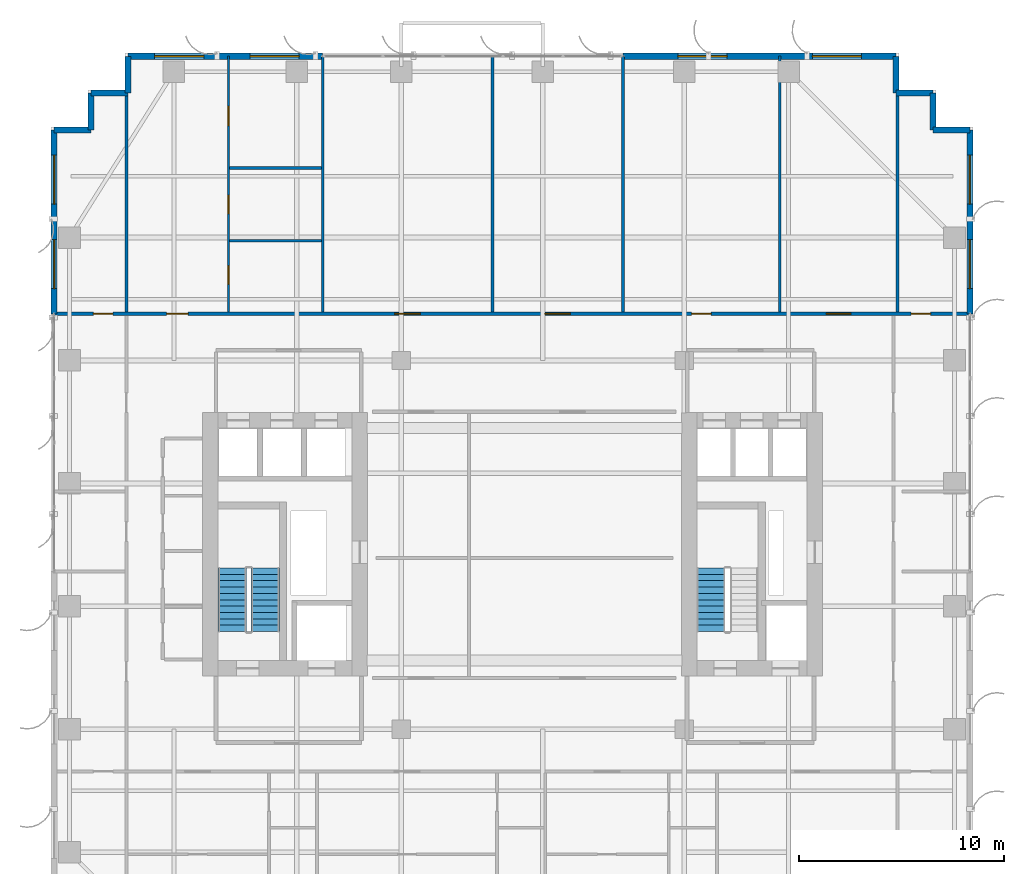
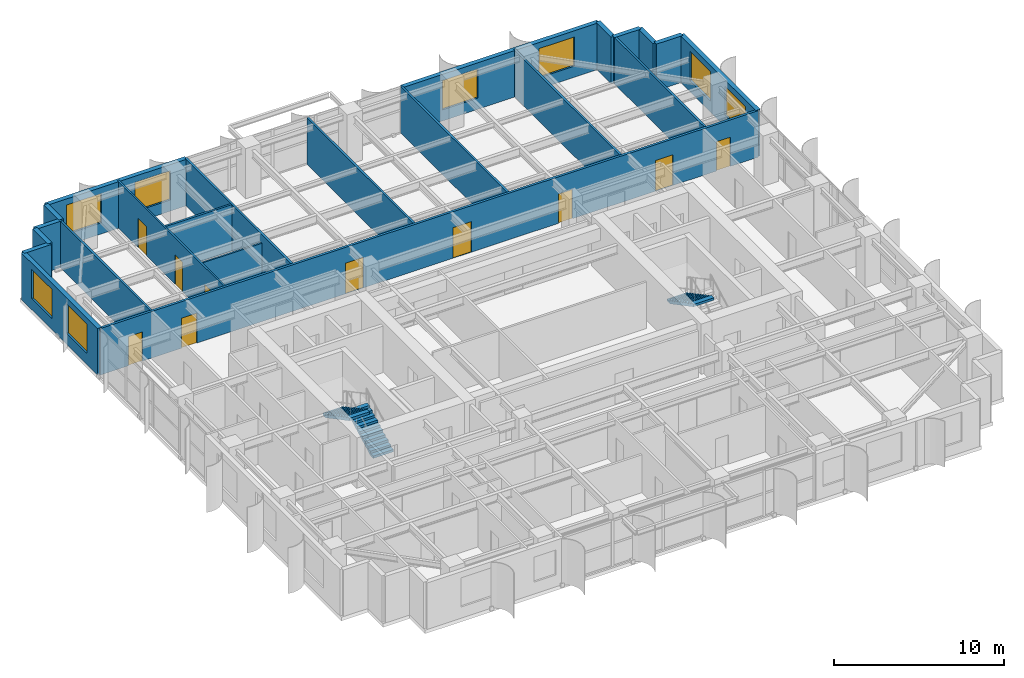
# One storey, part 23 of 27: 22 walls, 10 doors, 8 windows, 3 stair flights, 18 openings, 2 elements without a shape of their own.
"""IFC4 building model written with IfcOpenShell, lengths in metres."""

from ifc_helpers import new_model, si_unit, direction, frame, frame_2d, origin, place, context, subcontext, project, spatial, polyline, rectangle, outline, extrude, source, transform, mapped, material, layer, layer_set, type_object, element, fill, aggregate, save


model = new_model("IFC4")

# Units and contexts
model_context = context("Model", 3, precision=1e-05, world=origin(), true_north=direction((0.0, 1.0)))
body_context = subcontext(model_context, "Body", "Model", "MODEL_VIEW")
ifc_project = project(units=[si_unit("LENGTHUNIT", "METRE"), si_unit("AREAUNIT", "SQUARE_METRE"), si_unit("VOLUMEUNIT", "CUBIC_METRE"), si_unit("PLANEANGLEUNIT", "RADIAN"), si_unit("MASSUNIT", "GRAM", prefix="KILO")], contexts=[model_context])

# Site, building, storey
site_placement = place(None, origin())
site = spatial("IfcSite", under=ifc_project, at=site_placement, CompositionType="ELEMENT")
building_placement = place(site_placement, origin())
building = spatial("IfcBuilding", under=site, at=building_placement, Name="Khoralis Quay Care Tower", CompositionType="ELEMENT")
storey_placement = place(building_placement, frame((0.0, 0.0, 105.300048828125)))
storey = spatial("IfcBuildingStorey", under=building, at=storey_placement, Name="L27", CompositionType="ELEMENT", Elevation=105.300048828125)

# Wall, openings, doors
ifc_material_1 = material(Name="Gypsum plasterboard on acoustic metal stud")
ifc_layer_1 = layer(ifc_material_1, 0.1650390625)
ifc_layer_set_1 = layer_set([ifc_layer_1], Name="Gypsum plasterboard on acoustic metal stud")
wall_type_1 = type_object("IfcWallType", Name="WL-CORR-165", PredefinedType="PARTITIONING", material=ifc_layer_set_1)
wall_1_placement = place(storey_placement, frame((0.14501953125, 32.280029296875, 0.0), z_axis=(0.0, 0.0, 1.0), x_axis=(1.0, 0.0, 0.0)))
wall_1 = element("IfcWall", 1, at=wall_1_placement, inside=storey, type_object=wall_type_1, Name="L27 North Main Corridor Wall", PredefinedType="PARTITIONING", context=body_context, shape_type="SweptSolid", body=[
    extrude(rectangle(XDim=44.7099609375, YDim=0.1650390625, at=frame_2d((22.35498046875, 0.0))), origin(), (0.0, 0.0, 1.0), 3.33984375),
])
opening_1_placement = place(wall_1_placement, frame((5.5009765625, 0.0, 0.0)))
opening_1 = element("IfcOpeningElement", 2, at=opening_1_placement, cuts=wall_1, Name="Opening UD1", PredefinedType="OPENING", context=body_context, shape_type="SweptSolid", body=[
    extrude(rectangle(XDim=1.050048828125, YDim=2.14990234375, at=frame_2d((0.52490234375, 1.074951171875))), frame((0.0, 0.092529296875, 0.0), z_axis=(0.0, -1.0, 0.0), x_axis=(1.0, 0.0, 0.0)), (0.0, 0.0, 1.0), 0.18505859375),
])
opening_2_placement = place(wall_1_placement, frame((16.6298828125, 0.0, 0.0)))
opening_2 = element("IfcOpeningElement", 3, at=opening_2_placement, cuts=wall_1, Name="Opening CD1", PredefinedType="OPENING", context=body_context, shape_type="SweptSolid", body=[
    extrude(rectangle(XDim=1.25, YDim=2.199951171875, at=frame_2d((0.625, 1.10009765625))), frame((0.0, 0.092529296875, 0.0), z_axis=(0.0, -1.0, 0.0), x_axis=(1.0, 0.0, 0.0)), (0.0, 0.0, 1.0), 0.18505859375),
])
opening_3_placement = place(wall_1_placement, frame((23.9599609375, 0.0, 0.0)))
opening_3 = element("IfcOpeningElement", 4, at=opening_3_placement, cuts=wall_1, Name="Opening CD1", PredefinedType="OPENING", context=body_context, shape_type="SweptSolid", body=[
    extrude(rectangle(XDim=1.25, YDim=2.199951171875, at=frame_2d((0.625, 1.10009765625))), frame((0.0, 0.092529296875, 0.0), z_axis=(0.0, -1.0, 0.0), x_axis=(1.0, 0.0, 0.0)), (0.0, 0.0, 1.0), 0.18505859375),
])
opening_4_placement = place(wall_1_placement, frame((31.125, 0.0, 0.0)))
opening_4 = element("IfcOpeningElement", 5, at=opening_4_placement, cuts=wall_1, Name="Opening ID1", PredefinedType="OPENING", context=body_context, shape_type="SweptSolid", body=[
    extrude(rectangle(XDim=0.949951171875, YDim=2.10009765625, at=frame_2d((0.47509765625, 1.050048828125))), frame((0.0, 0.092529296875, 0.0), z_axis=(0.0, -1.0, 0.0), x_axis=(1.0, 0.0, 0.0)), (0.0, 0.0, 1.0), 0.18505859375),
])
opening_5_placement = place(wall_1_placement, frame((37.699951171875, 0.0, 0.0)))
opening_5 = element("IfcOpeningElement", 6, at=opening_5_placement, cuts=wall_1, Name="Opening FD1", PredefinedType="OPENING", context=body_context, shape_type="SweptSolid", body=[
    extrude(rectangle(XDim=1.199951171875, YDim=2.199951171875, at=frame_2d((0.60009765625, 1.10009765625))), frame((0.0, 0.092529296875, 0.0), z_axis=(0.0, -1.0, 0.0), x_axis=(1.0, 0.0, 0.0)), (0.0, 0.0, 1.0), 0.18505859375),
])
opening_6_placement = place(wall_1_placement, frame((1.919921875, 0.0, 0.0)))
opening_6 = element("IfcOpeningElement", 7, at=opening_6_placement, cuts=wall_1, Name="Opening ID1", PredefinedType="OPENING", context=body_context, shape_type="SweptSolid", body=[
    extrude(rectangle(XDim=0.949951171875, YDim=2.10009765625, at=frame_2d((0.47509765625, 1.050048828125))), frame((0.0, 0.092529296875, 0.0), z_axis=(0.0, -1.0, 0.0), x_axis=(1.0, 0.0, 0.0)), (0.0, 0.0, 1.0), 0.18505859375),
])
opening_7_placement = place(wall_1_placement, frame((41.840087890625, 0.0, 0.0)))
opening_7 = element("IfcOpeningElement", 8, at=opening_7_placement, cuts=wall_1, Name="Opening ID1", PredefinedType="OPENING", context=body_context, shape_type="SweptSolid", body=[
    extrude(rectangle(XDim=0.949951171875, YDim=2.10009765625, at=frame_2d((0.47509765625, 1.050048828125))), frame((0.0, 0.092529296875, 0.0), z_axis=(0.0, -1.0, 0.0), x_axis=(1.0, 0.0, 0.0)), (0.0, 0.0, 1.0), 0.18505859375),
])
ifc_material_2 = material(Name="Fire-rated painted steel", Category="steel")
door_type_1 = type_object("IfcDoorType", Name="DR-FFL-1200X2200", OperationType="NOTDEFINED", PredefinedType="DOOR", material=ifc_material_2)
shared_shape_1 = source(origin(), body_context, "Body", "SweptSolid", [
    extrude(rectangle(XDim=1.199951171875, YDim=2.199951171875, at=frame_2d((0.60009765625, 1.10009765625))), frame((0.0, 0.02490234375, 0.0), z_axis=(0.0, -1.0, 0.0), x_axis=(1.0, 0.0, 0.0)), (0.0, 0.0, 1.0), 0.050048828125),
])
door_1_placement = place(opening_5_placement, origin())
door_1 = element("IfcDoor", 9, at=door_1_placement, inside=storey, type_object=door_type_1, Name="L27 Resident Communal Day Lounge Door", OperationType="DOUBLE_DOOR_SINGLE_SWING", OverallHeight=2.199951171875, OverallWidth=1.199951171875, PredefinedType="DOOR", context=body_context, shape_type="MappedRepresentation", body=[
    mapped(shared_shape_1, transform((0.0, 0.0, 0.0), scale=1.0)),
])
fill(opening_5, door_1)
ifc_material_3 = material(Name="Acoustic hardwood timber", Category="wood")
door_type_2 = type_object("IfcDoorType", Name="DR-CARE-1250X2200", OperationType="NOTDEFINED", PredefinedType="DOOR", material=ifc_material_3)
shared_shape_2 = source(origin(), body_context, "Body", "SweptSolid", [
    extrude(rectangle(XDim=1.25, YDim=2.199951171875, at=frame_2d((0.625, 1.10009765625))), frame((0.0, 0.02490234375, 0.0), z_axis=(0.0, -1.0, 0.0), x_axis=(1.0, 0.0, 0.0)), (0.0, 0.0, 1.0), 0.050048828125),
])
door_2_placement = place(opening_2_placement, origin())
door_2 = element("IfcDoor", 10, at=door_2_placement, inside=storey, type_object=door_type_2, Name="L27 Geriatric Consultation Clinic Door", OperationType="SINGLE_SWING_RIGHT", OverallHeight=2.199951171875, OverallWidth=1.25, PredefinedType="DOOR", context=body_context, shape_type="MappedRepresentation", body=[
    mapped(shared_shape_2, transform((0.0, 0.0, 0.0), scale=1.0)),
])
fill(opening_2, door_2)
door_3_placement = place(opening_3_placement, origin())
door_3 = element("IfcDoor", 11, at=door_3_placement, inside=storey, type_object=door_type_2, Name="L27 Physiotherapy Treatment Clinic Door", OperationType="SINGLE_SWING_LEFT", OverallHeight=2.199951171875, OverallWidth=1.25, PredefinedType="DOOR", context=body_context, shape_type="MappedRepresentation", body=[
    mapped(shared_shape_2, transform((0.0, 0.0, 0.0), scale=1.0)),
])
fill(opening_3, door_3)
door_type_3 = type_object("IfcDoorType", Name="DR-ROOM-950X2100", OperationType="NOTDEFINED", PredefinedType="DOOR", material=ifc_material_3)
shared_shape_3 = source(origin(), body_context, "Body", "SweptSolid", [
    extrude(rectangle(XDim=0.949951171875, YDim=2.10009765625, at=frame_2d((0.47509765625, 1.050048828125))), frame((0.0, 0.02490234375, 0.0), z_axis=(0.0, -1.0, 0.0), x_axis=(1.0, 0.0, 0.0)), (0.0, 0.0, 1.0), 0.050048828125),
])
door_4_placement = place(opening_4_placement, origin())
door_4 = element("IfcDoor", 12, at=door_4_placement, inside=storey, type_object=door_type_3, Name="L27 Care Coordination Office Door", OperationType="SINGLE_SWING_LEFT", OverallHeight=2.10009765625, OverallWidth=0.949951171875, PredefinedType="DOOR", context=body_context, shape_type="MappedRepresentation", body=[
    mapped(shared_shape_3, transform((0.0, 0.0, 0.0), scale=1.0)),
])
fill(opening_4, door_4)
door_5_placement = place(opening_6_placement, origin())
door_5 = element("IfcDoor", 13, at=door_5_placement, inside=storey, type_object=door_type_3, Name="L27 NW Corner Door", OperationType="SINGLE_SWING_RIGHT", OverallHeight=2.10009765625, OverallWidth=0.949951171875, PredefinedType="DOOR", context=body_context, shape_type="MappedRepresentation", body=[
    mapped(shared_shape_3, transform((0.0, 0.0, 0.0), scale=1.0)),
])
fill(opening_6, door_5)
door_6_placement = place(opening_7_placement, origin())
door_6 = element("IfcDoor", 14, at=door_6_placement, inside=storey, type_object=door_type_3, Name="L27 NE Corner Door", OperationType="SINGLE_SWING_LEFT", OverallHeight=2.10009765625, OverallWidth=0.949951171875, PredefinedType="DOOR", context=body_context, shape_type="MappedRepresentation", body=[
    mapped(shared_shape_3, transform((0.0, 0.0, 0.0), scale=1.0)),
])
fill(opening_7, door_6)
door_type_4 = type_object("IfcDoorType", Name="DR-SUITE-1050X2150", OperationType="NOTDEFINED", PredefinedType="DOOR", material=ifc_material_3)
shared_shape_4 = source(origin(), body_context, "Body", "SweptSolid", [
    extrude(rectangle(XDim=1.050048828125, YDim=2.14990234375, at=frame_2d((0.52490234375, 1.074951171875))), frame((0.0, 0.02490234375, 0.0), z_axis=(0.0, -1.0, 0.0), x_axis=(1.0, 0.0, 0.0)), (0.0, 0.0, 1.0), 0.050048828125),
])
door_7_placement = place(opening_1_placement, origin())
door_7 = element("IfcDoor", 15, at=door_7_placement, inside=storey, type_object=door_type_4, Name="L27 Apartment NB0 Entrance Door", OperationType="SINGLE_SWING_LEFT", OverallHeight=2.14990234375, OverallWidth=1.050048828125, PredefinedType="DOOR", context=body_context, shape_type="MappedRepresentation", body=[
    mapped(shared_shape_4, transform((0.0, 0.0, 0.0), scale=1.0)),
])
fill(opening_1, door_7)

# Wall, openings, windows
ifc_material_4 = material(Name="Precast concrete C45/55", Category="concrete")
ifc_layer_2 = layer(ifc_material_4, 0.300048828125)
ifc_layer_set_2 = layer_set([ifc_layer_2], Name="Precast concrete C45/55")
wall_type_2 = type_object("IfcWallType", Name="WL-EXT-REF-300", PredefinedType="SOLIDWALL", material=ifc_layer_set_2)
wall_2_placement = place(storey_placement, frame((44.85009765625, 32.280029296875, 0.0), z_axis=(0.0, 0.0, 1.0), x_axis=(0.0, 1.0, 0.0)))
wall_2 = element("IfcWall", 16, at=wall_2_placement, inside=storey, type_object=wall_type_2, Name="L27 External Facade Wall WL-EXT-L27-P1-E5B", PredefinedType="SOLIDWALL", context=body_context, shape_type="SweptSolid", body=[
    extrude(rectangle(XDim=8.969970703125, YDim=0.300048828125, at=frame_2d((4.48486328125, 0.0))), origin(), (0.0, 0.0, 1.0), 3.33984375),
])
opening_8_placement = place(wall_2_placement, frame((1.222412109375, 0.0, 0.800048828125)))
opening_8 = element("IfcOpeningElement", 17, at=opening_8_placement, cuts=wall_2, Name="Opening W1", PredefinedType="OPENING", context=body_context, shape_type="SweptSolid", body=[
    extrude(rectangle(XDim=2.39990234375, YDim=2.10009765625, at=frame_2d((1.199951171875, 1.050048828125))), frame((0.0, 0.16015625, 0.0), z_axis=(0.0, -1.0, 0.0), x_axis=(1.0, 0.0, 0.0)), (0.0, 0.0, 1.0), 0.320068359375),
])
opening_9_placement = place(wall_2_placement, frame((5.347412109375, 0.0, 0.800048828125)))
opening_9 = element("IfcOpeningElement", 18, at=opening_9_placement, cuts=wall_2, Name="Opening W1", PredefinedType="OPENING", context=body_context, shape_type="SweptSolid", body=[
    extrude(rectangle(XDim=2.39990234375, YDim=2.10009765625, at=frame_2d((1.199951171875, 1.050048828125))), frame((0.0, 0.16015625, 0.0), z_axis=(0.0, -1.0, 0.0), x_axis=(1.0, 0.0, 0.0)), (0.0, 0.0, 1.0), 0.320068359375),
])
ifc_material_5 = material(Name="Low-E solar-control double glazing", Category="glass")
window_type = type_object("IfcWindowType", Name="WN-POD-2400X2100", PartitioningType="SINGLE_PANEL", PredefinedType="WINDOW", material=ifc_material_5)
shared_shape_5 = source(origin(), body_context, "Body", "SweptSolid", [
    extrude(rectangle(XDim=2.39990234375, YDim=2.10009765625, at=frame_2d((1.199951171875, 1.050048828125))), frame((0.0, 0.030029296875, 0.0), z_axis=(0.0, -1.0, 0.0), x_axis=(1.0, 0.0, 0.0)), (0.0, 0.0, 1.0), 0.06005859375),
])
window_1_placement = place(opening_8_placement, origin())
window_1 = element("IfcWindow", 19, at=window_1_placement, inside=storey, type_object=window_type, Name="WN-L27-P1-E5B Facade Window 01", OverallHeight=2.10009765625, OverallWidth=2.39990234375, PartitioningType="SINGLE_PANEL", PredefinedType="WINDOW", context=body_context, shape_type="MappedRepresentation", body=[
    mapped(shared_shape_5, transform((0.0, 0.0, 0.0), scale=1.0)),
])
fill(opening_8, window_1)
window_2_placement = place(opening_9_placement, origin())
window_2 = element("IfcWindow", 20, at=window_2_placement, inside=storey, type_object=window_type, Name="WN-L27-P1-E5B Facade Window 02", OverallHeight=2.10009765625, OverallWidth=2.39990234375, PartitioningType="SINGLE_PANEL", PredefinedType="WINDOW", context=body_context, shape_type="MappedRepresentation", body=[
    mapped(shared_shape_5, transform((0.0, 0.0, 0.0), scale=1.0)),
])
fill(opening_9, window_2)

# Walls
for number, where, z_axis, x_axis, name in (
    (21, (44.85009765625, 41.25, 0.0), (0.0, 0.0, 1.0), (-1.0, 0.0, 0.0), "L27 External Facade Wall WL-EXT-L27-P1-C6"),
    (22, (43.050048828125, 41.25, 0.0), (0.0, 0.0, 1.0), (0.0, 1.0, 0.0), "L27 External Facade Wall WL-EXT-L27-P1-C7"),
    (23, (43.050048828125, 43.050048828125, 0.0), (0.0, 0.0, 1.0), (-1.0, 0.0, 0.0), "L27 External Facade Wall WL-EXT-L27-P1-C8"),
    (24, (41.25, 43.050048828125, 0.0), (0.0, 0.0, 1.0), (0.0, 1.0, 0.0), "L27 External Facade Wall WL-EXT-L27-P1-C9"),
):
    element("IfcWall", number, at=place(storey_placement, frame(where, z_axis=z_axis, x_axis=x_axis)), inside=storey, type_object=wall_type_2, Name=name, PredefinedType="SOLIDWALL", context=body_context, shape_type="SweptSolid", body=[
        extrude(rectangle(XDim=1.800048828125, YDim=0.300048828125, at=frame_2d((0.89990234375, 0.0))), origin(), (0.0, 0.0, 1.0), 3.33984375),
    ])

# Wall, openings, windows
wall_3_placement = place(storey_placement, frame((41.25, 44.85009765625, 0.0), z_axis=(0.0, 0.0, 1.0), x_axis=(-1.0, 0.0, 0.0)))
wall_3 = element("IfcWall", 25, at=wall_3_placement, inside=storey, type_object=wall_type_2, Name="L27 External Facade Wall WL-EXT-L27-P1-E10A", PredefinedType="SOLIDWALL", context=body_context, shape_type="SweptSolid", body=[
    extrude(rectangle(XDim=13.330078125, YDim=0.300048828125, at=frame_2d((6.6650390625, 0.0))), origin(), (0.0, 0.0, 1.0), 3.33984375),
])
opening_10_placement = place(wall_3_placement, frame((1.68994140625, 0.0, 0.800048828125)))
opening_10 = element("IfcOpeningElement", 26, at=opening_10_placement, cuts=wall_3, Name="Opening W1", PredefinedType="OPENING", context=body_context, shape_type="SweptSolid", body=[
    extrude(rectangle(XDim=2.39990234375, YDim=2.10009765625, at=frame_2d((1.199951171875, 1.050048828125))), frame((0.0, 0.16015625, 0.0), z_axis=(0.0, -1.0, 0.0), x_axis=(1.0, 0.0, 0.0)), (0.0, 0.0, 1.0), 0.320068359375),
])
opening_11_placement = place(wall_3_placement, frame((8.2548828125, 0.0, 0.800048828125)))
opening_11 = element("IfcOpeningElement", 27, at=opening_11_placement, cuts=wall_3, Name="Opening W1", PredefinedType="OPENING", context=body_context, shape_type="SweptSolid", body=[
    extrude(rectangle(XDim=2.39990234375, YDim=2.10009765625, at=frame_2d((1.199951171875, 1.050048828125))), frame((0.0, 0.16015625, 0.0), z_axis=(0.0, -1.0, 0.0), x_axis=(1.0, 0.0, 0.0)), (0.0, 0.0, 1.0), 0.320068359375),
])
window_3_placement = place(opening_10_placement, origin())
window_3 = element("IfcWindow", 28, at=window_3_placement, inside=storey, type_object=window_type, Name="WN-L27-P1-E10A Facade Window 01", OverallHeight=2.10009765625, OverallWidth=2.39990234375, PartitioningType="SINGLE_PANEL", PredefinedType="WINDOW", context=body_context, shape_type="MappedRepresentation", body=[
    mapped(shared_shape_5, transform((0.0, 0.0, 0.0), scale=1.0)),
])
fill(opening_10, window_3)
window_4_placement = place(opening_11_placement, origin())
window_4 = element("IfcWindow", 29, at=window_4_placement, inside=storey, type_object=window_type, Name="WN-L27-P1-E10A Facade Window 02", OverallHeight=2.10009765625, OverallWidth=2.39990234375, PartitioningType="SINGLE_PANEL", PredefinedType="WINDOW", context=body_context, shape_type="MappedRepresentation", body=[
    mapped(shared_shape_5, transform((0.0, 0.0, 0.0), scale=1.0)),
])
fill(opening_11, window_4)

wall_4_placement = place(storey_placement, frame((13.260009765625, 44.85009765625, 0.0), z_axis=(0.0, 0.0, 1.0), x_axis=(-1.0, 0.0, 0.0)))
wall_4 = element("IfcWall", 30, at=wall_4_placement, inside=storey, type_object=wall_type_2, Name="L27 External Facade Wall WL-EXT-L27-P1-E10B", PredefinedType="SOLIDWALL", context=body_context, shape_type="SweptSolid", body=[
    extrude(rectangle(XDim=9.510009765625, YDim=0.300048828125, at=frame_2d((4.7548828125, 0.0))), origin(), (0.0, 0.0, 1.0), 3.33984375),
])
opening_12_placement = place(wall_4_placement, frame((1.14892578125, 0.0, 0.800048828125)))
opening_12 = element("IfcOpeningElement", 31, at=opening_12_placement, cuts=wall_4, Name="Opening W1", PredefinedType="OPENING", context=body_context, shape_type="SweptSolid", body=[
    extrude(rectangle(XDim=2.39990234375, YDim=2.10009765625, at=frame_2d((1.199951171875, 1.050048828125))), frame((0.0, 0.16015625, 0.0), z_axis=(0.0, -1.0, 0.0), x_axis=(1.0, 0.0, 0.0)), (0.0, 0.0, 1.0), 0.320068359375),
])
opening_13_placement = place(wall_4_placement, frame((5.803955078125, 0.0, 0.800048828125)))
opening_13 = element("IfcOpeningElement", 32, at=opening_13_placement, cuts=wall_4, Name="Opening W1", PredefinedType="OPENING", context=body_context, shape_type="SweptSolid", body=[
    extrude(rectangle(XDim=2.39990234375, YDim=2.10009765625, at=frame_2d((1.199951171875, 1.050048828125))), frame((0.0, 0.16015625, 0.0), z_axis=(0.0, -1.0, 0.0), x_axis=(1.0, 0.0, 0.0)), (0.0, 0.0, 1.0), 0.320068359375),
])
window_5_placement = place(opening_12_placement, origin())
window_5 = element("IfcWindow", 33, at=window_5_placement, inside=storey, type_object=window_type, Name="WN-L27-P1-E10B Facade Window 01", OverallHeight=2.10009765625, OverallWidth=2.39990234375, PartitioningType="SINGLE_PANEL", PredefinedType="WINDOW", context=body_context, shape_type="MappedRepresentation", body=[
    mapped(shared_shape_5, transform((0.0, 0.0, 0.0), scale=1.0)),
])
fill(opening_12, window_5)
window_6_placement = place(opening_13_placement, origin())
window_6 = element("IfcWindow", 34, at=window_6_placement, inside=storey, type_object=window_type, Name="WN-L27-P1-E10B Facade Window 02", OverallHeight=2.10009765625, OverallWidth=2.39990234375, PartitioningType="SINGLE_PANEL", PredefinedType="WINDOW", context=body_context, shape_type="MappedRepresentation", body=[
    mapped(shared_shape_5, transform((0.0, 0.0, 0.0), scale=1.0)),
])
fill(opening_13, window_6)

# Walls
for number, where, z_axis, x_axis, name in (
    (35, (3.75, 44.85009765625, 0.0), (0.0, 0.0, 1.0), (0.0, -1.0, 0.0), "L27 External Facade Wall WL-EXT-L27-P1-C11"),
    (36, (3.75, 43.050048828125, 0.0), (0.0, 0.0, 1.0), (-1.0, 0.0, 0.0), "L27 External Facade Wall WL-EXT-L27-P1-C12"),
    (37, (1.949951171875, 43.050048828125, 0.0), (0.0, 0.0, 1.0), (0.0, -1.0, 0.0), "L27 External Facade Wall WL-EXT-L27-P1-C13"),
    (38, (1.949951171875, 41.25, 0.0), (0.0, 0.0, 1.0), (-1.0, 0.0, 0.0), "L27 External Facade Wall WL-EXT-L27-P1-C14"),
):
    element("IfcWall", number, at=place(storey_placement, frame(where, z_axis=z_axis, x_axis=x_axis)), inside=storey, type_object=wall_type_2, Name=name, PredefinedType="SOLIDWALL", context=body_context, shape_type="SweptSolid", body=[
        extrude(rectangle(XDim=1.800048828125, YDim=0.300048828125, at=frame_2d((0.89990234375, 0.0))), origin(), (0.0, 0.0, 1.0), 3.33984375),
    ])

# Wall, openings, windows
wall_5_placement = place(storey_placement, frame((0.14990234375, 41.25, 0.0), z_axis=(0.0, 0.0, 1.0), x_axis=(0.0, -1.0, 0.0)))
wall_5 = element("IfcWall", 39, at=wall_5_placement, inside=storey, type_object=wall_type_2, Name="L27 External Facade Wall WL-EXT-L27-P1-E15A", PredefinedType="SOLIDWALL", context=body_context, shape_type="SweptSolid", body=[
    extrude(rectangle(XDim=8.969970703125, YDim=0.300048828125, at=frame_2d((4.48486328125, 0.0))), origin(), (0.0, 0.0, 1.0), 3.33984375),
])
opening_14_placement = place(wall_5_placement, frame((1.222412109375, 0.0, 0.800048828125)))
opening_14 = element("IfcOpeningElement", 40, at=opening_14_placement, cuts=wall_5, Name="Opening W1", PredefinedType="OPENING", context=body_context, shape_type="SweptSolid", body=[
    extrude(rectangle(XDim=2.39990234375, YDim=2.10009765625, at=frame_2d((1.199951171875, 1.050048828125))), frame((0.0, 0.16015625, 0.0), z_axis=(0.0, -1.0, 0.0), x_axis=(1.0, 0.0, 0.0)), (0.0, 0.0, 1.0), 0.320068359375),
])
opening_15_placement = place(wall_5_placement, frame((5.347412109375, 0.0, 0.800048828125)))
opening_15 = element("IfcOpeningElement", 41, at=opening_15_placement, cuts=wall_5, Name="Opening W1", PredefinedType="OPENING", context=body_context, shape_type="SweptSolid", body=[
    extrude(rectangle(XDim=2.39990234375, YDim=2.10009765625, at=frame_2d((1.199951171875, 1.050048828125))), frame((0.0, 0.16015625, 0.0), z_axis=(0.0, -1.0, 0.0), x_axis=(1.0, 0.0, 0.0)), (0.0, 0.0, 1.0), 0.320068359375),
])
window_7_placement = place(opening_14_placement, origin())
window_7 = element("IfcWindow", 42, at=window_7_placement, inside=storey, type_object=window_type, Name="WN-L27-P1-E15A Facade Window 01", OverallHeight=2.10009765625, OverallWidth=2.39990234375, PartitioningType="SINGLE_PANEL", PredefinedType="WINDOW", context=body_context, shape_type="MappedRepresentation", body=[
    mapped(shared_shape_5, transform((0.0, 0.0, 0.0), scale=1.0)),
])
fill(opening_14, window_7)
window_8_placement = place(opening_15_placement, origin())
window_8 = element("IfcWindow", 43, at=window_8_placement, inside=storey, type_object=window_type, Name="WN-L27-P1-E15A Facade Window 02", OverallHeight=2.10009765625, OverallWidth=2.39990234375, PartitioningType="SINGLE_PANEL", PredefinedType="WINDOW", context=body_context, shape_type="MappedRepresentation", body=[
    mapped(shared_shape_5, transform((0.0, 0.0, 0.0), scale=1.0)),
])
fill(opening_15, window_8)

# Wall, openings, doors
ifc_layer_3 = layer(ifc_material_1, 0.114990234375)
ifc_layer_set_3 = layer_set([ifc_layer_3], Name="Gypsum plasterboard on acoustic metal stud")
wall_type_3 = type_object("IfcWallType", Name="WL-PART-115", PredefinedType="PARTITIONING", material=ifc_layer_set_3)
wall_6_placement = place(storey_placement, frame((8.662109375, 32.357421875, 0.0), z_axis=(0.0, 0.0, 1.0), x_axis=(0.0, 1.0, 0.0)))
wall_6 = element("IfcWall", 44, at=wall_6_placement, inside=storey, type_object=wall_type_3, Name="L27 Unit 0 Internal Wall", PredefinedType="PARTITIONING", context=body_context, shape_type="SweptSolid", body=[
    extrude(rectangle(XDim=12.49755859375, YDim=0.114990234375, at=frame_2d((6.248779296875, 0.0))), origin(), (0.0, 0.0, 1.0), 3.33984375),
])
opening_16_placement = place(wall_6_placement, frame((9.093994140625, 0.0, 0.0)))
opening_16 = element("IfcOpeningElement", 45, at=opening_16_placement, cuts=wall_6, Name="Opening ID1", PredefinedType="OPENING", context=body_context, shape_type="SweptSolid", body=[
    extrude(rectangle(XDim=0.949951171875, YDim=2.10009765625, at=frame_2d((0.47509765625, 1.050048828125))), frame((0.0, 0.0673828125, 0.0), z_axis=(0.0, -1.0, 0.0), x_axis=(1.0, 0.0, 0.0)), (0.0, 0.0, 1.0), 0.135009765625),
])
opening_17_placement = place(wall_6_placement, frame((4.814453125, 0.0, 0.0)))
opening_17 = element("IfcOpeningElement", 46, at=opening_17_placement, cuts=wall_6, Name="Opening WD1", PredefinedType="OPENING", context=body_context, shape_type="SweptSolid", body=[
    extrude(rectangle(XDim=0.89990234375, YDim=2.10009765625, at=frame_2d((0.449951171875, 1.050048828125))), frame((0.0, 0.0673828125, 0.0), z_axis=(0.0, -1.0, 0.0), x_axis=(1.0, 0.0, 0.0)), (0.0, 0.0, 1.0), 0.135009765625),
])
opening_18_placement = place(wall_6_placement, frame((1.367919921875, 0.0, 0.0)))
opening_18 = element("IfcOpeningElement", 47, at=opening_18_placement, cuts=wall_6, Name="Opening WD1", PredefinedType="OPENING", context=body_context, shape_type="SweptSolid", body=[
    extrude(rectangle(XDim=0.89990234375, YDim=2.10009765625, at=frame_2d((0.449951171875, 1.050048828125))), frame((0.0, 0.0673828125, 0.0), z_axis=(0.0, -1.0, 0.0), x_axis=(1.0, 0.0, 0.0)), (0.0, 0.0, 1.0), 0.135009765625),
])
door_type_5 = type_object("IfcDoorType", Name="DR-BATH-900X2100", OperationType="NOTDEFINED", PredefinedType="DOOR", material=ifc_material_3)
shared_shape_6 = source(origin(), body_context, "Body", "SweptSolid", [
    extrude(rectangle(XDim=0.89990234375, YDim=2.10009765625, at=frame_2d((0.449951171875, 1.050048828125))), frame((0.0, 0.02490234375, 0.0), z_axis=(0.0, -1.0, 0.0), x_axis=(1.0, 0.0, 0.0)), (0.0, 0.0, 1.0), 0.050048828125),
])
door_8_placement = place(opening_17_placement, frame((0.89990234375, 0.0, 0.0), z_axis=(0.0, 0.0, 1.0), x_axis=(-1.0, 0.0, 0.0)))
door_8 = element("IfcDoor", 48, at=door_8_placement, inside=storey, type_object=door_type_5, Name="L27 Apartment NB0 KIT Door", OperationType="SINGLE_SWING_LEFT", OverallHeight=2.10009765625, OverallWidth=0.89990234375, PredefinedType="DOOR", context=body_context, shape_type="MappedRepresentation", body=[
    mapped(shared_shape_6, transform((0.0, 0.0, 0.0), scale=1.0)),
])
fill(opening_17, door_8)
door_9_placement = place(opening_18_placement, frame((0.89990234375, 0.0, 0.0), z_axis=(0.0, 0.0, 1.0), x_axis=(-1.0, 0.0, 0.0)))
door_9 = element("IfcDoor", 49, at=door_9_placement, inside=storey, type_object=door_type_5, Name="L27 Apartment NB0 BTH Door", OperationType="SINGLE_SWING_RIGHT", OverallHeight=2.10009765625, OverallWidth=0.89990234375, PredefinedType="DOOR", context=body_context, shape_type="MappedRepresentation", body=[
    mapped(shared_shape_6, transform((0.0, 0.0, 0.0), scale=1.0)),
])
fill(opening_18, door_9)
door_10_placement = place(opening_16_placement, frame((0.949951171875, 0.0, 0.0), z_axis=(0.0, 0.0, 1.0), x_axis=(-1.0, 0.0, 0.0)))
door_10 = element("IfcDoor", 50, at=door_10_placement, inside=storey, type_object=door_type_3, Name="L27 Apartment NB0 BED Door", OperationType="SINGLE_SWING_RIGHT", OverallHeight=2.10009765625, OverallWidth=0.949951171875, PredefinedType="DOOR", context=body_context, shape_type="MappedRepresentation", body=[
    mapped(shared_shape_3, transform((0.0, 0.0, 0.0), scale=1.0)),
])
fill(opening_16, door_10)

# Walls
wall_7_placement = place(storey_placement, frame((8.714599609375, 35.841064453125, 0.0), z_axis=(0.0, 0.0, 1.0), x_axis=(1.0, 0.0, 0.0)))
element("IfcWall", 51, at=wall_7_placement, inside=storey, type_object=wall_type_3, Name="L27 Unit 0 Kitchen Wall", PredefinedType="PARTITIONING", context=body_context, shape_type="SweptSolid", body=[
    extrude(rectangle(XDim=4.48046875, YDim=0.114990234375, at=frame_2d((2.240234375, 0.0))), origin(), (0.0, 0.0, 1.0), 2.722900390625),
])
ifc_material_6 = material(Name="Moisture-resistant gypsum and ceramic tile")
ifc_layer_4 = layer(ifc_material_6, 0.280029296875)
ifc_layer_set_4 = layer_set([ifc_layer_4], Name="Moisture-resistant gypsum and ceramic tile")
wall_type_4 = type_object("IfcWallType", Name="WL-PLUMB-280", PredefinedType="PLUMBINGWALL", material=ifc_layer_set_4)
wall_8_placement = place(storey_placement, frame((8.714599609375, 39.403076171875, 0.0), z_axis=(0.0, 0.0, 1.0), x_axis=(1.0, 0.0, 0.0)))
element("IfcWall", 52, at=wall_8_placement, inside=storey, type_object=wall_type_4, Name="L27 Unit 0 Wet Wall", PredefinedType="PLUMBINGWALL", context=body_context, shape_type="SweptSolid", body=[
    extrude(rectangle(XDim=4.48046875, YDim=0.139892578125, at=frame_2d((2.240234375, 0.0))), origin(), (0.0, 0.0, 1.0), 3.33984375),
])
ifc_layer_5 = layer(ifc_material_1, 0.139892578125)
ifc_layer_set_5 = layer_set([ifc_layer_5], Name="Gypsum plasterboard on acoustic metal stud")
wall_type_5 = type_object("IfcWallType", Name="WL-UNIT-140", PredefinedType="PARTITIONING", material=ifc_layer_set_5)
wall_9_placement = place(storey_placement, frame((3.679931640625, 32.357421875, 0.0), z_axis=(0.0, 0.0, 1.0), x_axis=(0.0, 1.0, 0.0)))
element("IfcWall", 53, at=wall_9_placement, inside=storey, type_object=wall_type_5, Name="L27 NB Demising Wall 0", PredefinedType="PARTITIONING", context=body_context, shape_type="SweptSolid", body=[
    extrude(rectangle(XDim=10.697509765625, YDim=0.139892578125, at=frame_2d((5.3486328125, 0.0))), origin(), (0.0, 0.0, 1.0), 3.33984375),
])
for number, where, z_axis, x_axis, name in (
    (54, (13.260009765625, 32.357421875, 0.0), (0.0, 0.0, 1.0), (0.0, 1.0, 0.0), "L27 NB Demising Wall 1"),
    (55, (21.5400390625, 32.357421875, 0.0), (0.0, 0.0, 1.0), (0.0, 1.0, 0.0), "L27 NB Demising Wall 2"),
    (56, (27.919921875, 32.357421875, 0.0), (0.0, 0.0, 1.0), (0.0, 1.0, 0.0), "L27 NB Demising Wall 3"),
    (57, (35.570068359375, 32.357421875, 0.0), (0.0, 0.0, 1.0), (0.0, 1.0, 0.0), "L27 NB Demising Wall 4"),
):
    element("IfcWall", number, at=place(storey_placement, frame(where, z_axis=z_axis, x_axis=x_axis)), inside=storey, type_object=wall_type_5, Name=name, PredefinedType="PARTITIONING", context=body_context, shape_type="SweptSolid", body=[
        extrude(rectangle(XDim=12.49755859375, YDim=0.139892578125, at=frame_2d((6.248779296875, 0.0))), origin(), (0.0, 0.0, 1.0), 3.33984375),
    ])
wall_10_placement = place(storey_placement, frame((41.320068359375, 32.357421875, 0.0), z_axis=(0.0, 0.0, 1.0), x_axis=(0.0, 1.0, 0.0)))
element("IfcWall", 58, at=wall_10_placement, inside=storey, type_object=wall_type_5, Name="L27 NB Demising Wall 5", PredefinedType="PARTITIONING", context=body_context, shape_type="SweptSolid", body=[
    extrude(rectangle(XDim=10.697509765625, YDim=0.139892578125, at=frame_2d((5.3486328125, 0.0))), origin(), (0.0, 0.0, 1.0), 3.33984375),
])

# Stair, stair flights
stair_type = type_object("IfcStairType", Name="ST-TWR-DOGLEG-1400", PredefinedType="HALF_TURN_STAIR", material=ifc_material_4)
stair_1_placement = place(storey_placement, origin())
stair_1 = element("IfcStair", 59, at=stair_1_placement, inside=storey, type_object=stair_type, Name="L27 West Core Exit Stair ST-T1", PredefinedType="HALF_TURN_STAIR")
stair_flight_type = type_object("IfcStairFlightType", Name="SF-TWR-1400", PredefinedType="STRAIGHT", material=ifc_material_4)
shared_shape_7 = source(origin(), body_context, "Body", "SweptSolid", [
    extrude(outline(polyline([(0.0, 0.0), (0.0, 0.16357421875), (0.31005859375, 0.16357421875), (0.31005859375, 0.327392578125), (0.6201171875, 0.327392578125), (0.6201171875, 0.490966796875), (0.929931640625, 0.490966796875), (0.929931640625, 0.654541015625), (1.239990234375, 0.654541015625), (1.239990234375, 0.818115234375), (1.550048828125, 0.818115234375), (1.550048828125, 0.98193359375), (1.860107421875, 0.98193359375), (1.860107421875, 1.1455078125), (2.169921875, 1.1455078125), (2.169921875, 1.30908203125), (2.47998046875, 1.30908203125), (2.47998046875, 1.47265625), (2.7900390625, 1.47265625), (2.7900390625, 1.636474609375), (3.10009765625, 1.636474609375), (3.10009765625, 1.800048828125), (3.10009765625, 1.466796875), (0.321044921875, 0.0), (0.0, 0.0)])), frame((0.0, 0.68994140625, 0.0), z_axis=(0.0, -1.0, 0.0), x_axis=(1.0, 0.0, 0.0)), (0.0, 0.0, 1.0), 1.3798828125),
])
stair_flight_1_placement = place(storey_placement, frame((10.4599609375, 16.77001953125, 0.0), z_axis=(0.0, 0.0, 1.0), x_axis=(0.0, 1.0, 0.0)))
stair_flight_1 = element("IfcStairFlight", 60, at=stair_flight_1_placement, type_object=stair_flight_type, Name="ST-T1 flight 1", NumberOfRisers=11, NumberOfTreads=10, PredefinedType="STRAIGHT", RiserHeight=0.163636364, TreadLength=0.31, context=body_context, shape_type="MappedRepresentation", body=[
    mapped(shared_shape_7, transform((0.0, 0.0, 0.0), scale=1.0)),
])
stair_flight_2_placement = place(storey_placement, frame((8.840087890625, 19.8701171875, 1.800048828125), z_axis=(0.0, 0.0, 1.0), x_axis=(0.0, -1.0, 0.0)))
stair_flight_2 = element("IfcStairFlight", 61, at=stair_flight_2_placement, type_object=stair_flight_type, Name="ST-T1 flight 2", NumberOfRisers=11, NumberOfTreads=10, PredefinedType="STRAIGHT", RiserHeight=0.163636364, TreadLength=0.31, context=body_context, shape_type="MappedRepresentation", body=[
    mapped(shared_shape_7, transform((0.0, 0.0, 0.0), scale=1.0)),
])
aggregate(stair_1, [stair_flight_1, stair_flight_2])

# Stair, stair flight
stair_2_placement = place(storey_placement, origin())
stair_2 = element("IfcStair", 62, at=stair_2_placement, inside=storey, type_object=stair_type, Name="L27 East Core Exit Stair ST-T2", PredefinedType="HALF_TURN_STAIR")
stair_flight_3_placement = place(storey_placement, frame((32.2099609375, 19.8701171875, 1.800048828125), z_axis=(0.0, 0.0, 1.0), x_axis=(0.0, -1.0, 0.0)))
stair_flight_3 = element("IfcStairFlight", 63, at=stair_flight_3_placement, type_object=stair_flight_type, Name="ST-T2 flight 2", NumberOfRisers=11, NumberOfTreads=10, PredefinedType="STRAIGHT", RiserHeight=0.163636364, TreadLength=0.31, context=body_context, shape_type="MappedRepresentation", body=[
    mapped(shared_shape_7, transform((0.0, 0.0, 0.0), scale=1.0)),
])
aggregate(stair_2, [stair_flight_3])

save(model, "model.ifc")
